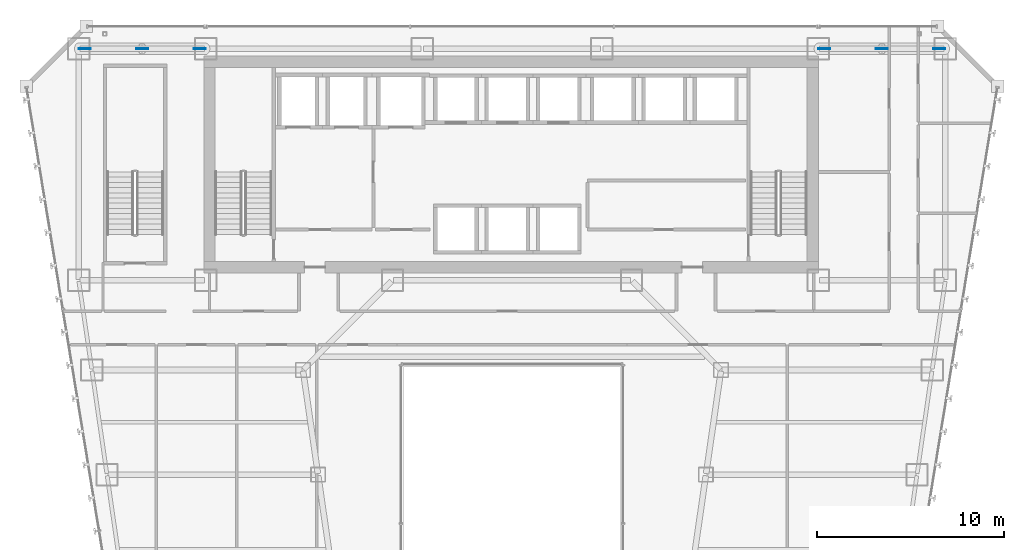
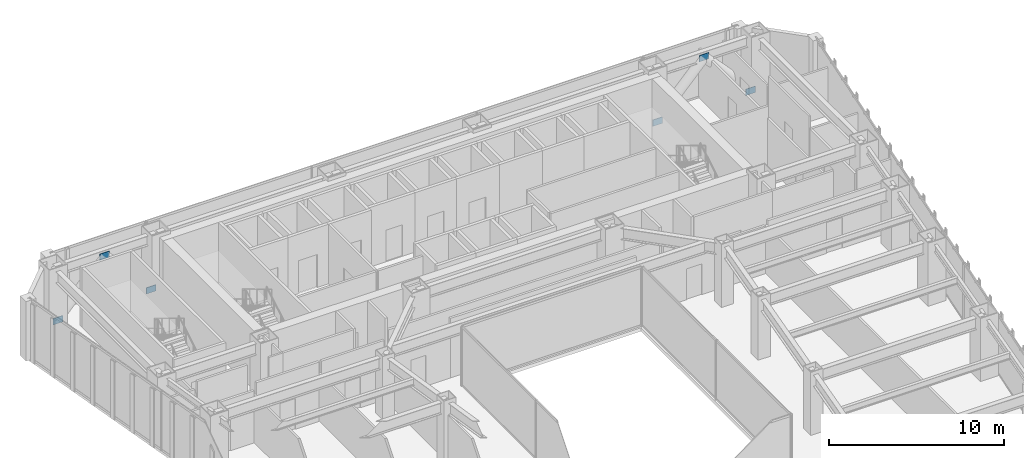
# One storey, part 35 of 47: 6 plates.
"""IFC4 building model written with IfcOpenShell, lengths in metres."""

from ifc_helpers import new_model, si_unit, direction, frame, origin, origin_2d, place, context, subcontext, project, spatial, rectangle, extrude, material, layer, layer_set, type_object, element, save


model = new_model("IFC4")

# Units and contexts
model_context = context("Model", 3, precision=1e-05, world=origin(), true_north=direction((0.0, 1.0)))
body_context = subcontext(model_context, "Body", "Model", "MODEL_VIEW")
ifc_project = project(units=[si_unit("LENGTHUNIT", "METRE"), si_unit("AREAUNIT", "SQUARE_METRE"), si_unit("VOLUMEUNIT", "CUBIC_METRE"), si_unit("PLANEANGLEUNIT", "RADIAN"), si_unit("MASSUNIT", "GRAM", prefix="KILO")], contexts=[model_context])

# Site, building, storey
site_placement = place(None, origin())
site = spatial("IfcSite", under=ifc_project, at=site_placement, CompositionType="ELEMENT")
building_placement = place(site_placement, origin())
building = spatial("IfcBuilding", under=site, at=building_placement, Name="Saevonmaru Cultural Tower", CompositionType="ELEMENT")
storey_placement = place(building_placement, frame((0.0, 0.0, 78.0)))
storey = spatial("IfcBuildingStorey", under=building, at=storey_placement, Name="L16", CompositionType="ELEMENT", Elevation=78.0)

# Plates
ifc_material = material(Name="Steel HSA600 (600 MPa)", Category="steel")
ifc_layer = layer(ifc_material, 0.0400390625, Name="Steel HSA600 (600 MPa)")
ifc_layer_set = layer_set([ifc_layer], Name="Steel HSA600 (600 MPa)")
plate_type = type_object("IfcPlateType", Name="PL-GUSSET-EXT", PredefinedType="USERDEFINED", material=ifc_layer_set)
for number, where, z_axis, x_axis, name in (
    (1, (10.199951171875, 54.800048828125, 3.449951171875), (0.0, 0.0, 1.0), (1.0, 0.0, 0.0), "L16 Perimeter Tube Gusset Plate"),
    (2, (7.1201171875, 54.800048828125, 0.02001953125), (0.0, 0.0, 1.0), (1.0, 0.0, 0.0), "L16 Perimeter Tube Gusset Plate"),
    (3, (13.280029296875, 54.800048828125, 0.02001953125), (0.0, 0.0, 1.0), (1.0, 0.0, 0.0), "L16 Perimeter Tube Gusset Plate"),
    (4, (49.800048828125, 54.800048828125, 3.449951171875), (0.0, 0.0, 1.0), (1.0, 0.0, 0.0), "L16 Perimeter Tube Gusset Plate"),
    (5, (46.719970703125, 54.800048828125, 0.02001953125), (0.0, 0.0, 1.0), (1.0, 0.0, 0.0), "L16 Perimeter Tube Gusset Plate"),
    (6, (52.8798828125, 54.800048828125, 0.02001953125), (0.0, 0.0, 1.0), (1.0, 0.0, 0.0), "L16 Perimeter Tube Gusset Plate"),
):
    element("IfcPlate", number, at=place(storey_placement, frame(where, z_axis=z_axis, x_axis=x_axis)), inside=storey, type_object=plate_type, Name=name, ObjectType="GUSSET_PLATE", PredefinedType="USERDEFINED", context=body_context, shape_type="SweptSolid", body=[
        extrude(rectangle(XDim=0.639892578125, YDim=0.0400390625, at=origin_2d()), origin(), (0.0, 0.0, 1.0), 0.43994140625),
    ])

save(model, "model.ifc")
